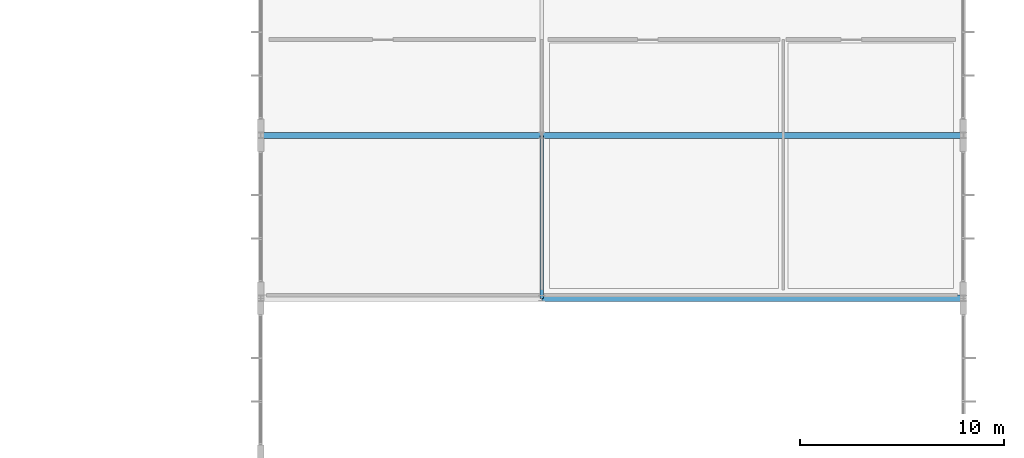
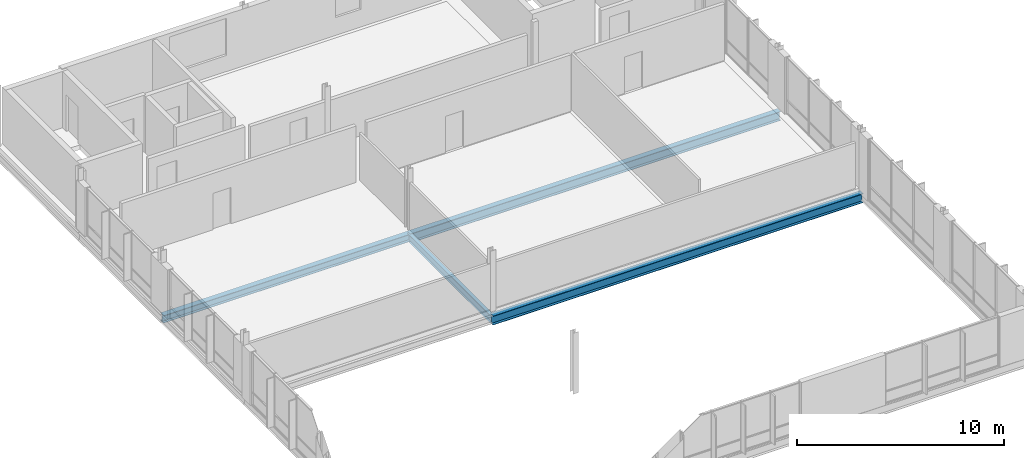
# One storey, part 115 of 189: 4 beams.
"""IFC4 building model written with IfcOpenShell, lengths in metres."""

from ifc_helpers import new_model, si_unit, direction, frame, origin, origin_2d, place, context, subcontext, project, spatial, i_section, extrude, material, material_profile, profile_set, type_object, element, save


model = new_model("IFC4")

# Units and contexts
model_context = context("Model", 3, precision=1e-05, world=origin(), true_north=direction((0.0, 1.0)))
body_context = subcontext(model_context, "Body", "Model", "MODEL_VIEW")
ifc_project = project(units=[si_unit("LENGTHUNIT", "METRE"), si_unit("AREAUNIT", "SQUARE_METRE"), si_unit("VOLUMEUNIT", "CUBIC_METRE"), si_unit("PLANEANGLEUNIT", "RADIAN"), si_unit("MASSUNIT", "GRAM", prefix="KILO")], contexts=[model_context])

# Site, building, storey
site_placement = place(None, origin())
site = spatial("IfcSite", under=ifc_project, at=site_placement, CompositionType="ELEMENT")
building_placement = place(site_placement, origin())
building = spatial("IfcBuilding", under=site, at=building_placement, Name="Zavelmont Quarter", CompositionType="ELEMENT")
storey_placement = place(building_placement, frame((0.0, 0.0, 4.39990234375)))
storey = spatial("IfcBuildingStorey", under=building, at=storey_placement, Name="L01", CompositionType="ELEMENT", Elevation=4.39990234375)

# Beams
ifc_material = material(Name="Steel S355", Category="steel")
ifc_material_profile_1 = material_profile(ifc_material, i_section(OverallWidth=0.300048828125, OverallDepth=0.43994140625, WebThickness=0.011474609375, FlangeThickness=0.02099609375, at=origin_2d()), Name="HEA 450")
ifc_profile_set_1 = profile_set([ifc_material_profile_1], Name="Steel S355")
beam_type_1 = type_object("IfcBeamType", Name="BM10", PredefinedType="BEAM", material=ifc_profile_set_1)
beam_1_placement = place(storey_placement, frame((133.5, 62.0, -0.5), z_axis=(1.0, 0.0, 0.0), x_axis=(0.0, 1.0, 0.0)))
element("IfcBeam", 1, at=beam_1_placement, inside=storey, type_object=beam_type_1, Name="L01 beam BM10 20/K to 22/K", PredefinedType="BEAM", context=body_context, shape_type="SweptSolid", body=[
    extrude(i_section(OverallWidth=0.300048828125, OverallDepth=0.43994140625, WebThickness=0.011474609375, FlangeThickness=0.02099609375, at=origin_2d()), origin(), (0.0, 0.0, 1.0), 13.800048828125),
])
ifc_material_profile_2 = material_profile(ifc_material, i_section(OverallWidth=0.300048828125, OverallDepth=0.5400390625, WebThickness=0.012451171875, FlangeThickness=0.02392578125, at=origin_2d()), Name="HEA 550")
ifc_profile_set_2 = profile_set([ifc_material_profile_2], Name="Steel S355")
beam_type_2 = type_object("IfcBeamType", Name="BM11", PredefinedType="BEAM", material=ifc_profile_set_2)
for number, where, z_axis, x_axis, name in (
    (2, (147.300048828125, 54.0, -0.5498046875), (1.0, 0.0, 0.0), (0.0, 1.0, 0.0), "L01 beam BM11 22/J to 25/J"),
    (3, (147.300048828125, 62.0, -0.5498046875), (1.0, 0.0, 0.0), (0.0, 1.0, 0.0), "L01 beam BM11 22/K to 25/K"),
):
    element("IfcBeam", number, at=place(storey_placement, frame(where, z_axis=z_axis, x_axis=x_axis)), inside=storey, type_object=beam_type_2, Name=name, PredefinedType="BEAM", context=body_context, shape_type="SweptSolid", body=[
        extrude(i_section(OverallWidth=0.300048828125, OverallDepth=0.5400390625, WebThickness=0.012451171875, FlangeThickness=0.02392578125, at=origin_2d()), origin(), (0.0, 0.0, 1.0), 20.699951171875),
    ])
ifc_material_profile_3 = material_profile(ifc_material, i_section(OverallWidth=0.18994140625, OverallDepth=0.449951171875, WebThickness=0.009521484375, FlangeThickness=0.0146484375, at=origin_2d()), Name="IPE 450")
ifc_profile_set_3 = profile_set([ifc_material_profile_3], Name="Steel S355")
beam_type_3 = type_object("IfcBeamType", Name="BM12", PredefinedType="BEAM", material=ifc_profile_set_3)
beam_2_placement = place(storey_placement, frame((147.300048828125, 54.0, -0.5048828125), z_axis=(0.0, 1.0, 0.0), x_axis=(-1.0, 0.0, 0.0)))
element("IfcBeam", 4, at=beam_2_placement, inside=storey, type_object=beam_type_3, Name="L01 beam BM12 22/J to 22/K", PredefinedType="BEAM", context=body_context, shape_type="SweptSolid", body=[
    extrude(i_section(OverallWidth=0.18994140625, OverallDepth=0.449951171875, WebThickness=0.009521484375, FlangeThickness=0.0146484375, at=origin_2d()), origin(), (0.0, 0.0, 1.0), 8.0),
])

save(model, "model.ifc")
